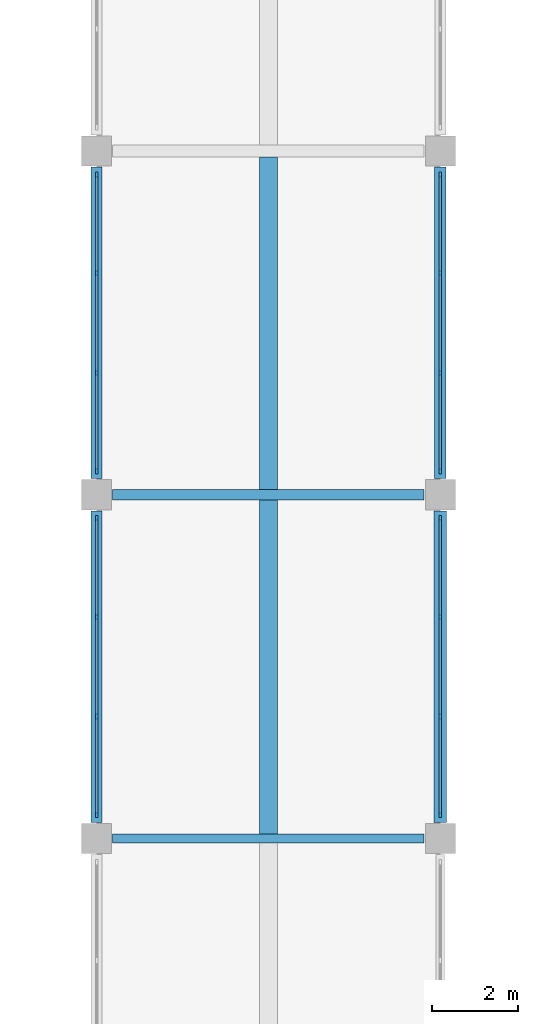
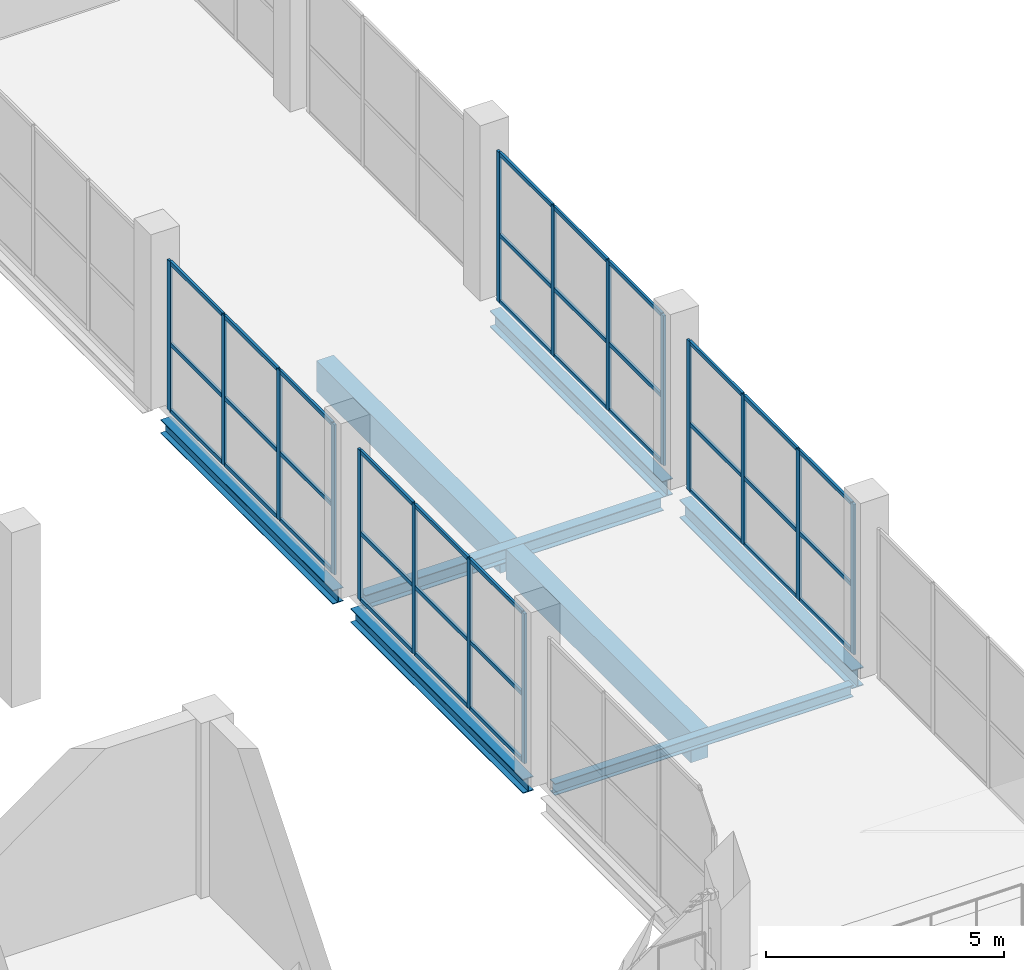
# One storey, part 10 of 45: 52 members, 8 beams, 4 elements without a shape of their own.
"""IFC4 building model written with IfcOpenShell, lengths in metres."""

from ifc_helpers import new_model, si_unit, direction, frame, origin, origin_2d, place, context, subcontext, project, spatial, rectangle, i_section, extrude, material, layer, layer_set, material_profile, profile_set, type_object, element, aggregate, save


model = new_model("IFC4")

# Units and contexts
model_context = context("Model", 3, precision=1e-05, world=origin(), true_north=direction((0.0, 1.0)))
body_context = subcontext(model_context, "Body", "Model", "MODEL_VIEW")
ifc_project = project(units=[si_unit("LENGTHUNIT", "METRE"), si_unit("AREAUNIT", "SQUARE_METRE"), si_unit("VOLUMEUNIT", "CUBIC_METRE"), si_unit("PLANEANGLEUNIT", "RADIAN"), si_unit("MASSUNIT", "GRAM", prefix="KILO")], contexts=[model_context])

# Site, building, storey
site_placement = place(None, origin())
site = spatial("IfcSite", under=ifc_project, at=site_placement, CompositionType="ELEMENT")
building_placement = place(site_placement, origin())
building = spatial("IfcBuilding", under=site, at=building_placement, Name="Qorikala Patio Media Centre", CompositionType="ELEMENT")
storey_placement = place(building_placement, frame((0.0, 0.0, 9.89990234375)))
storey = spatial("IfcBuildingStorey", under=building, at=storey_placement, Name="L02", CompositionType="ELEMENT", Elevation=9.89990234375)

# Curtain wall, members
ifc_material_1 = material(Name="Bronze Anodised Aluminium and Low-E Glass", Category="aluminium")
ifc_layer = layer(ifc_material_1, 0.159912109375)
ifc_layer_set = layer_set([ifc_layer], Name="Bronze Anodised Aluminium and Low-E Glass")
curtain_wall_type = type_object("IfcCurtainWallType", Name="CW-BRG-696X385", PredefinedType="USERDEFINED", material=ifc_layer_set)
curtain_wall_1_placement = place(storey_placement, origin())
curtain_wall_1 = element("IfcCurtainWall", 1, at=curtain_wall_1_placement, inside=storey, type_object=curtain_wall_type, Name="L02 Courtyard Curtain Wall 047", ObjectType="COURTYARD CURTAIN WALL", PredefinedType="USERDEFINED")
ifc_material_2 = material(Name="Bronze Anodised Aluminium", Category="aluminium")
ifc_material_profile_1 = material_profile(ifc_material_2, rectangle(XDim=0.06005859375, YDim=0.1298828125, at=origin_2d()), Name="ALU MULLION 60x130")
ifc_profile_set_1 = profile_set([ifc_material_profile_1], Name="Bronze Anodised Aluminium")
member_type_1 = type_object("IfcMemberType", Name="CWM-60X130", PredefinedType="MULLION", material=ifc_profile_set_1)
member_1_placement = place(storey_placement, frame((51.0, 35.550048828125, 0.0), z_axis=(0.0, 0.0, 1.0), x_axis=(-1.0, 0.0, 0.0)))
member_1 = element("IfcMember", 2, at=member_1_placement, type_object=member_type_1, Name="CWB696385 mullion 1", PredefinedType="MULLION", context=body_context, shape_type="SweptSolid", body=[
    extrude(rectangle(XDim=0.06005859375, YDim=0.1298828125, at=origin_2d()), origin(), (0.0, 0.0, 1.0), 3.85009765625),
])
member_2_placement = place(storey_placement, frame((51.0, 37.840087890625, 0.0), z_axis=(0.0, 0.0, 1.0), x_axis=(-1.0, 0.0, 0.0)))
member_2 = element("IfcMember", 3, at=member_2_placement, type_object=member_type_1, Name="CWB696385 mullion 2", PredefinedType="MULLION", context=body_context, shape_type="SweptSolid", body=[
    extrude(rectangle(XDim=0.06005859375, YDim=0.1298828125, at=origin_2d()), origin(), (0.0, 0.0, 1.0), 3.85009765625),
])
member_3_placement = place(storey_placement, frame((51.0, 40.159912109375, 0.0), z_axis=(0.0, 0.0, 1.0), x_axis=(-1.0, 0.0, 0.0)))
member_3 = element("IfcMember", 4, at=member_3_placement, type_object=member_type_1, Name="CWB696385 mullion 3", PredefinedType="MULLION", context=body_context, shape_type="SweptSolid", body=[
    extrude(rectangle(XDim=0.06005859375, YDim=0.1298828125, at=origin_2d()), origin(), (0.0, 0.0, 1.0), 3.85009765625),
])
member_4_placement = place(storey_placement, frame((51.0, 42.449951171875, 0.0), z_axis=(0.0, 0.0, 1.0), x_axis=(-1.0, 0.0, 0.0)))
member_4 = element("IfcMember", 5, at=member_4_placement, type_object=member_type_1, Name="CWB696385 mullion 4", PredefinedType="MULLION", context=body_context, shape_type="SweptSolid", body=[
    extrude(rectangle(XDim=0.06005859375, YDim=0.1298828125, at=origin_2d()), origin(), (0.0, 0.0, 1.0), 3.85009765625),
])

curtain_wall_2_placement = place(storey_placement, origin())
curtain_wall_2 = element("IfcCurtainWall", 6, at=curtain_wall_2_placement, inside=storey, type_object=curtain_wall_type, Name="L02 Courtyard Curtain Wall 048", ObjectType="COURTYARD CURTAIN WALL", PredefinedType="USERDEFINED")
member_5_placement = place(storey_placement, frame((51.0, 43.550048828125, 0.0), z_axis=(0.0, 0.0, 1.0), x_axis=(-1.0, 0.0, 0.0)))
member_5 = element("IfcMember", 7, at=member_5_placement, type_object=member_type_1, Name="CWB696385 mullion 1", PredefinedType="MULLION", context=body_context, shape_type="SweptSolid", body=[
    extrude(rectangle(XDim=0.06005859375, YDim=0.1298828125, at=origin_2d()), origin(), (0.0, 0.0, 1.0), 3.85009765625),
])
member_6_placement = place(storey_placement, frame((51.0, 45.840087890625, 0.0), z_axis=(0.0, 0.0, 1.0), x_axis=(-1.0, 0.0, 0.0)))
member_6 = element("IfcMember", 8, at=member_6_placement, type_object=member_type_1, Name="CWB696385 mullion 2", PredefinedType="MULLION", context=body_context, shape_type="SweptSolid", body=[
    extrude(rectangle(XDim=0.06005859375, YDim=0.1298828125, at=origin_2d()), origin(), (0.0, 0.0, 1.0), 3.85009765625),
])
member_7_placement = place(storey_placement, frame((51.0, 48.159912109375, 0.0), z_axis=(0.0, 0.0, 1.0), x_axis=(-1.0, 0.0, 0.0)))
member_7 = element("IfcMember", 9, at=member_7_placement, type_object=member_type_1, Name="CWB696385 mullion 3", PredefinedType="MULLION", context=body_context, shape_type="SweptSolid", body=[
    extrude(rectangle(XDim=0.06005859375, YDim=0.1298828125, at=origin_2d()), origin(), (0.0, 0.0, 1.0), 3.85009765625),
])
member_8_placement = place(storey_placement, frame((51.0, 50.449951171875, 0.0), z_axis=(0.0, 0.0, 1.0), x_axis=(-1.0, 0.0, 0.0)))
member_8 = element("IfcMember", 10, at=member_8_placement, type_object=member_type_1, Name="CWB696385 mullion 4", PredefinedType="MULLION", context=body_context, shape_type="SweptSolid", body=[
    extrude(rectangle(XDim=0.06005859375, YDim=0.1298828125, at=origin_2d()), origin(), (0.0, 0.0, 1.0), 3.85009765625),
])

curtain_wall_3_placement = place(storey_placement, origin())
curtain_wall_3 = element("IfcCurtainWall", 11, at=curtain_wall_3_placement, inside=storey, type_object=curtain_wall_type, Name="L02 Courtyard Curtain Wall 056", ObjectType="COURTYARD CURTAIN WALL", PredefinedType="USERDEFINED")
member_9_placement = place(storey_placement, frame((59.0, 50.449951171875, 0.0), z_axis=(0.0, 0.0, 1.0), x_axis=(1.0, 0.0, 0.0)))
member_9 = element("IfcMember", 12, at=member_9_placement, type_object=member_type_1, Name="CWB696385 mullion 1", PredefinedType="MULLION", context=body_context, shape_type="SweptSolid", body=[
    extrude(rectangle(XDim=0.06005859375, YDim=0.1298828125, at=origin_2d()), origin(), (0.0, 0.0, 1.0), 3.85009765625),
])
member_10_placement = place(storey_placement, frame((59.0, 48.159912109375, 0.0), z_axis=(0.0, 0.0, 1.0), x_axis=(1.0, 0.0, 0.0)))
member_10 = element("IfcMember", 13, at=member_10_placement, type_object=member_type_1, Name="CWB696385 mullion 2", PredefinedType="MULLION", context=body_context, shape_type="SweptSolid", body=[
    extrude(rectangle(XDim=0.06005859375, YDim=0.1298828125, at=origin_2d()), origin(), (0.0, 0.0, 1.0), 3.85009765625),
])
member_11_placement = place(storey_placement, frame((59.0, 45.840087890625, 0.0), z_axis=(0.0, 0.0, 1.0), x_axis=(1.0, 0.0, 0.0)))
member_11 = element("IfcMember", 14, at=member_11_placement, type_object=member_type_1, Name="CWB696385 mullion 3", PredefinedType="MULLION", context=body_context, shape_type="SweptSolid", body=[
    extrude(rectangle(XDim=0.06005859375, YDim=0.1298828125, at=origin_2d()), origin(), (0.0, 0.0, 1.0), 3.85009765625),
])
member_12_placement = place(storey_placement, frame((59.0, 43.550048828125, 0.0), z_axis=(0.0, 0.0, 1.0), x_axis=(1.0, 0.0, 0.0)))
member_12 = element("IfcMember", 15, at=member_12_placement, type_object=member_type_1, Name="CWB696385 mullion 4", PredefinedType="MULLION", context=body_context, shape_type="SweptSolid", body=[
    extrude(rectangle(XDim=0.06005859375, YDim=0.1298828125, at=origin_2d()), origin(), (0.0, 0.0, 1.0), 3.85009765625),
])

curtain_wall_4_placement = place(storey_placement, origin())
curtain_wall_4 = element("IfcCurtainWall", 16, at=curtain_wall_4_placement, inside=storey, type_object=curtain_wall_type, Name="L02 Courtyard Curtain Wall 057", ObjectType="COURTYARD CURTAIN WALL", PredefinedType="USERDEFINED")
member_13_placement = place(storey_placement, frame((59.0, 42.449951171875, 0.0), z_axis=(0.0, 0.0, 1.0), x_axis=(1.0, 0.0, 0.0)))
member_13 = element("IfcMember", 17, at=member_13_placement, type_object=member_type_1, Name="CWB696385 mullion 1", PredefinedType="MULLION", context=body_context, shape_type="SweptSolid", body=[
    extrude(rectangle(XDim=0.06005859375, YDim=0.1298828125, at=origin_2d()), origin(), (0.0, 0.0, 1.0), 3.85009765625),
])
member_14_placement = place(storey_placement, frame((59.0, 40.159912109375, 0.0), z_axis=(0.0, 0.0, 1.0), x_axis=(1.0, 0.0, 0.0)))
member_14 = element("IfcMember", 18, at=member_14_placement, type_object=member_type_1, Name="CWB696385 mullion 2", PredefinedType="MULLION", context=body_context, shape_type="SweptSolid", body=[
    extrude(rectangle(XDim=0.06005859375, YDim=0.1298828125, at=origin_2d()), origin(), (0.0, 0.0, 1.0), 3.85009765625),
])
member_15_placement = place(storey_placement, frame((59.0, 37.840087890625, 0.0), z_axis=(0.0, 0.0, 1.0), x_axis=(1.0, 0.0, 0.0)))
member_15 = element("IfcMember", 19, at=member_15_placement, type_object=member_type_1, Name="CWB696385 mullion 3", PredefinedType="MULLION", context=body_context, shape_type="SweptSolid", body=[
    extrude(rectangle(XDim=0.06005859375, YDim=0.1298828125, at=origin_2d()), origin(), (0.0, 0.0, 1.0), 3.85009765625),
])
member_16_placement = place(storey_placement, frame((59.0, 35.550048828125, 0.0), z_axis=(0.0, 0.0, 1.0), x_axis=(1.0, 0.0, 0.0)))
member_16 = element("IfcMember", 20, at=member_16_placement, type_object=member_type_1, Name="CWB696385 mullion 4", PredefinedType="MULLION", context=body_context, shape_type="SweptSolid", body=[
    extrude(rectangle(XDim=0.06005859375, YDim=0.1298828125, at=origin_2d()), origin(), (0.0, 0.0, 1.0), 3.85009765625),
])

# Member
ifc_material_profile_2 = material_profile(ifc_material_2, rectangle(XDim=0.06005859375, YDim=0.10009765625, at=origin_2d()), Name="ALU TRANSOM 60x100")
ifc_profile_set_2 = profile_set([ifc_material_profile_2], Name="Bronze Anodised Aluminium")
member_type_2 = type_object("IfcMemberType", Name="CWT-60X100", PredefinedType="USERDEFINED", material=ifc_profile_set_2)
member_17_placement = place(storey_placement, frame((51.0, 35.580078125, 0.030029296875), z_axis=(0.0, 1.0, 0.0), x_axis=(-1.0, 0.0, 0.0)))
member_17 = element("IfcMember", 21, at=member_17_placement, type_object=member_type_2, Name="CWB696385 transom 1.1", ObjectType="TRANSOM", PredefinedType="USERDEFINED", context=body_context, shape_type="SweptSolid", body=[
    extrude(rectangle(XDim=0.06005859375, YDim=0.10009765625, at=origin_2d()), origin(), (0.0, 0.0, 1.0), 2.22998046875),
])

member_18_placement = place(storey_placement, frame((51.0, 35.580078125, 1.732666015625), z_axis=(0.0, 1.0, 0.0), x_axis=(-1.0, 0.0, 0.0)))
member_18 = element("IfcMember", 22, at=member_18_placement, type_object=member_type_2, Name="CWB696385 transom 1.2", ObjectType="TRANSOM", PredefinedType="USERDEFINED", context=body_context, shape_type="SweptSolid", body=[
    extrude(rectangle(XDim=0.06005859375, YDim=0.10009765625, at=origin_2d()), origin(), (0.0, 0.0, 1.0), 2.22998046875),
])

member_19_placement = place(storey_placement, frame((51.0, 35.580078125, 3.820068359375), z_axis=(0.0, 1.0, 0.0), x_axis=(-1.0, 0.0, 0.0)))
member_19 = element("IfcMember", 23, at=member_19_placement, type_object=member_type_2, Name="CWB696385 transom 1.3", ObjectType="TRANSOM", PredefinedType="USERDEFINED", context=body_context, shape_type="SweptSolid", body=[
    extrude(rectangle(XDim=0.06005859375, YDim=0.10009765625, at=origin_2d()), origin(), (0.0, 0.0, 1.0), 2.22998046875),
])

member_20_placement = place(storey_placement, frame((51.0, 37.8701171875, 0.030029296875), z_axis=(0.0, 1.0, 0.0), x_axis=(-1.0, 0.0, 0.0)))
member_20 = element("IfcMember", 24, at=member_20_placement, type_object=member_type_2, Name="CWB696385 transom 2.1", ObjectType="TRANSOM", PredefinedType="USERDEFINED", context=body_context, shape_type="SweptSolid", body=[
    extrude(rectangle(XDim=0.06005859375, YDim=0.10009765625, at=origin_2d()), origin(), (0.0, 0.0, 1.0), 2.259765625),
])

member_21_placement = place(storey_placement, frame((51.0, 37.8701171875, 1.732666015625), z_axis=(0.0, 1.0, 0.0), x_axis=(-1.0, 0.0, 0.0)))
member_21 = element("IfcMember", 25, at=member_21_placement, type_object=member_type_2, Name="CWB696385 transom 2.2", ObjectType="TRANSOM", PredefinedType="USERDEFINED", context=body_context, shape_type="SweptSolid", body=[
    extrude(rectangle(XDim=0.06005859375, YDim=0.10009765625, at=origin_2d()), origin(), (0.0, 0.0, 1.0), 2.259765625),
])

member_22_placement = place(storey_placement, frame((51.0, 37.8701171875, 3.820068359375), z_axis=(0.0, 1.0, 0.0), x_axis=(-1.0, 0.0, 0.0)))
member_22 = element("IfcMember", 26, at=member_22_placement, type_object=member_type_2, Name="CWB696385 transom 2.3", ObjectType="TRANSOM", PredefinedType="USERDEFINED", context=body_context, shape_type="SweptSolid", body=[
    extrude(rectangle(XDim=0.06005859375, YDim=0.10009765625, at=origin_2d()), origin(), (0.0, 0.0, 1.0), 2.259765625),
])

member_23_placement = place(storey_placement, frame((51.0, 40.18994140625, 0.030029296875), z_axis=(0.0, 1.0, 0.0), x_axis=(-1.0, 0.0, 0.0)))
member_23 = element("IfcMember", 27, at=member_23_placement, type_object=member_type_2, Name="CWB696385 transom 3.1", ObjectType="TRANSOM", PredefinedType="USERDEFINED", context=body_context, shape_type="SweptSolid", body=[
    extrude(rectangle(XDim=0.06005859375, YDim=0.10009765625, at=origin_2d()), origin(), (0.0, 0.0, 1.0), 2.22998046875),
])

member_24_placement = place(storey_placement, frame((51.0, 40.18994140625, 1.732666015625), z_axis=(0.0, 1.0, 0.0), x_axis=(-1.0, 0.0, 0.0)))
member_24 = element("IfcMember", 28, at=member_24_placement, type_object=member_type_2, Name="CWB696385 transom 3.2", ObjectType="TRANSOM", PredefinedType="USERDEFINED", context=body_context, shape_type="SweptSolid", body=[
    extrude(rectangle(XDim=0.06005859375, YDim=0.10009765625, at=origin_2d()), origin(), (0.0, 0.0, 1.0), 2.22998046875),
])

member_25_placement = place(storey_placement, frame((51.0, 40.18994140625, 3.820068359375), z_axis=(0.0, 1.0, 0.0), x_axis=(-1.0, 0.0, 0.0)))
member_25 = element("IfcMember", 29, at=member_25_placement, type_object=member_type_2, Name="CWB696385 transom 3.3", ObjectType="TRANSOM", PredefinedType="USERDEFINED", context=body_context, shape_type="SweptSolid", body=[
    extrude(rectangle(XDim=0.06005859375, YDim=0.10009765625, at=origin_2d()), origin(), (0.0, 0.0, 1.0), 2.22998046875),
])

aggregate(curtain_wall_1, [member_1, member_2, member_3, member_4, member_17, member_18, member_19, member_20, member_21, member_22, member_23, member_24, member_25])

member_26_placement = place(storey_placement, frame((51.0, 43.580078125, 0.030029296875), z_axis=(0.0, 1.0, 0.0), x_axis=(-1.0, 0.0, 0.0)))
member_26 = element("IfcMember", 30, at=member_26_placement, type_object=member_type_2, Name="CWB696385 transom 1.1", ObjectType="TRANSOM", PredefinedType="USERDEFINED", context=body_context, shape_type="SweptSolid", body=[
    extrude(rectangle(XDim=0.06005859375, YDim=0.10009765625, at=origin_2d()), origin(), (0.0, 0.0, 1.0), 2.22998046875),
])

member_27_placement = place(storey_placement, frame((51.0, 43.580078125, 1.732666015625), z_axis=(0.0, 1.0, 0.0), x_axis=(-1.0, 0.0, 0.0)))
member_27 = element("IfcMember", 31, at=member_27_placement, type_object=member_type_2, Name="CWB696385 transom 1.2", ObjectType="TRANSOM", PredefinedType="USERDEFINED", context=body_context, shape_type="SweptSolid", body=[
    extrude(rectangle(XDim=0.06005859375, YDim=0.10009765625, at=origin_2d()), origin(), (0.0, 0.0, 1.0), 2.22998046875),
])

member_28_placement = place(storey_placement, frame((51.0, 43.580078125, 3.820068359375), z_axis=(0.0, 1.0, 0.0), x_axis=(-1.0, 0.0, 0.0)))
member_28 = element("IfcMember", 32, at=member_28_placement, type_object=member_type_2, Name="CWB696385 transom 1.3", ObjectType="TRANSOM", PredefinedType="USERDEFINED", context=body_context, shape_type="SweptSolid", body=[
    extrude(rectangle(XDim=0.06005859375, YDim=0.10009765625, at=origin_2d()), origin(), (0.0, 0.0, 1.0), 2.22998046875),
])

member_29_placement = place(storey_placement, frame((51.0, 45.8701171875, 0.030029296875), z_axis=(0.0, 1.0, 0.0), x_axis=(-1.0, 0.0, 0.0)))
member_29 = element("IfcMember", 33, at=member_29_placement, type_object=member_type_2, Name="CWB696385 transom 2.1", ObjectType="TRANSOM", PredefinedType="USERDEFINED", context=body_context, shape_type="SweptSolid", body=[
    extrude(rectangle(XDim=0.06005859375, YDim=0.10009765625, at=origin_2d()), origin(), (0.0, 0.0, 1.0), 2.259765625),
])

member_30_placement = place(storey_placement, frame((51.0, 45.8701171875, 1.732666015625), z_axis=(0.0, 1.0, 0.0), x_axis=(-1.0, 0.0, 0.0)))
member_30 = element("IfcMember", 34, at=member_30_placement, type_object=member_type_2, Name="CWB696385 transom 2.2", ObjectType="TRANSOM", PredefinedType="USERDEFINED", context=body_context, shape_type="SweptSolid", body=[
    extrude(rectangle(XDim=0.06005859375, YDim=0.10009765625, at=origin_2d()), origin(), (0.0, 0.0, 1.0), 2.259765625),
])

member_31_placement = place(storey_placement, frame((51.0, 45.8701171875, 3.820068359375), z_axis=(0.0, 1.0, 0.0), x_axis=(-1.0, 0.0, 0.0)))
member_31 = element("IfcMember", 35, at=member_31_placement, type_object=member_type_2, Name="CWB696385 transom 2.3", ObjectType="TRANSOM", PredefinedType="USERDEFINED", context=body_context, shape_type="SweptSolid", body=[
    extrude(rectangle(XDim=0.06005859375, YDim=0.10009765625, at=origin_2d()), origin(), (0.0, 0.0, 1.0), 2.259765625),
])

member_32_placement = place(storey_placement, frame((51.0, 48.18994140625, 0.030029296875), z_axis=(0.0, 1.0, 0.0), x_axis=(-1.0, 0.0, 0.0)))
member_32 = element("IfcMember", 36, at=member_32_placement, type_object=member_type_2, Name="CWB696385 transom 3.1", ObjectType="TRANSOM", PredefinedType="USERDEFINED", context=body_context, shape_type="SweptSolid", body=[
    extrude(rectangle(XDim=0.06005859375, YDim=0.10009765625, at=origin_2d()), origin(), (0.0, 0.0, 1.0), 2.22998046875),
])

member_33_placement = place(storey_placement, frame((51.0, 48.18994140625, 1.732666015625), z_axis=(0.0, 1.0, 0.0), x_axis=(-1.0, 0.0, 0.0)))
member_33 = element("IfcMember", 37, at=member_33_placement, type_object=member_type_2, Name="CWB696385 transom 3.2", ObjectType="TRANSOM", PredefinedType="USERDEFINED", context=body_context, shape_type="SweptSolid", body=[
    extrude(rectangle(XDim=0.06005859375, YDim=0.10009765625, at=origin_2d()), origin(), (0.0, 0.0, 1.0), 2.22998046875),
])

member_34_placement = place(storey_placement, frame((51.0, 48.18994140625, 3.820068359375), z_axis=(0.0, 1.0, 0.0), x_axis=(-1.0, 0.0, 0.0)))
member_34 = element("IfcMember", 38, at=member_34_placement, type_object=member_type_2, Name="CWB696385 transom 3.3", ObjectType="TRANSOM", PredefinedType="USERDEFINED", context=body_context, shape_type="SweptSolid", body=[
    extrude(rectangle(XDim=0.06005859375, YDim=0.10009765625, at=origin_2d()), origin(), (0.0, 0.0, 1.0), 2.22998046875),
])

aggregate(curtain_wall_2, [member_5, member_6, member_7, member_8, member_26, member_27, member_28, member_29, member_30, member_31, member_32, member_33, member_34])

member_35_placement = place(storey_placement, frame((59.0, 50.419921875, 0.030029296875), z_axis=(0.0, -1.0, 0.0), x_axis=(1.0, 0.0, 0.0)))
member_35 = element("IfcMember", 39, at=member_35_placement, type_object=member_type_2, Name="CWB696385 transom 1.1", ObjectType="TRANSOM", PredefinedType="USERDEFINED", context=body_context, shape_type="SweptSolid", body=[
    extrude(rectangle(XDim=0.06005859375, YDim=0.10009765625, at=origin_2d()), origin(), (0.0, 0.0, 1.0), 2.22998046875),
])

member_36_placement = place(storey_placement, frame((59.0, 50.419921875, 1.732666015625), z_axis=(0.0, -1.0, 0.0), x_axis=(1.0, 0.0, 0.0)))
member_36 = element("IfcMember", 40, at=member_36_placement, type_object=member_type_2, Name="CWB696385 transom 1.2", ObjectType="TRANSOM", PredefinedType="USERDEFINED", context=body_context, shape_type="SweptSolid", body=[
    extrude(rectangle(XDim=0.06005859375, YDim=0.10009765625, at=origin_2d()), origin(), (0.0, 0.0, 1.0), 2.22998046875),
])

member_37_placement = place(storey_placement, frame((59.0, 50.419921875, 3.820068359375), z_axis=(0.0, -1.0, 0.0), x_axis=(1.0, 0.0, 0.0)))
member_37 = element("IfcMember", 41, at=member_37_placement, type_object=member_type_2, Name="CWB696385 transom 1.3", ObjectType="TRANSOM", PredefinedType="USERDEFINED", context=body_context, shape_type="SweptSolid", body=[
    extrude(rectangle(XDim=0.06005859375, YDim=0.10009765625, at=origin_2d()), origin(), (0.0, 0.0, 1.0), 2.22998046875),
])

member_38_placement = place(storey_placement, frame((59.0, 48.1298828125, 0.030029296875), z_axis=(0.0, -1.0, 0.0), x_axis=(1.0, 0.0, 0.0)))
member_38 = element("IfcMember", 42, at=member_38_placement, type_object=member_type_2, Name="CWB696385 transom 2.1", ObjectType="TRANSOM", PredefinedType="USERDEFINED", context=body_context, shape_type="SweptSolid", body=[
    extrude(rectangle(XDim=0.06005859375, YDim=0.10009765625, at=origin_2d()), origin(), (0.0, 0.0, 1.0), 2.259765625),
])

member_39_placement = place(storey_placement, frame((59.0, 48.1298828125, 1.732666015625), z_axis=(0.0, -1.0, 0.0), x_axis=(1.0, 0.0, 0.0)))
member_39 = element("IfcMember", 43, at=member_39_placement, type_object=member_type_2, Name="CWB696385 transom 2.2", ObjectType="TRANSOM", PredefinedType="USERDEFINED", context=body_context, shape_type="SweptSolid", body=[
    extrude(rectangle(XDim=0.06005859375, YDim=0.10009765625, at=origin_2d()), origin(), (0.0, 0.0, 1.0), 2.259765625),
])

member_40_placement = place(storey_placement, frame((59.0, 48.1298828125, 3.820068359375), z_axis=(0.0, -1.0, 0.0), x_axis=(1.0, 0.0, 0.0)))
member_40 = element("IfcMember", 44, at=member_40_placement, type_object=member_type_2, Name="CWB696385 transom 2.3", ObjectType="TRANSOM", PredefinedType="USERDEFINED", context=body_context, shape_type="SweptSolid", body=[
    extrude(rectangle(XDim=0.06005859375, YDim=0.10009765625, at=origin_2d()), origin(), (0.0, 0.0, 1.0), 2.259765625),
])

member_41_placement = place(storey_placement, frame((59.0, 45.81005859375, 0.030029296875), z_axis=(0.0, -1.0, 0.0), x_axis=(1.0, 0.0, 0.0)))
member_41 = element("IfcMember", 45, at=member_41_placement, type_object=member_type_2, Name="CWB696385 transom 3.1", ObjectType="TRANSOM", PredefinedType="USERDEFINED", context=body_context, shape_type="SweptSolid", body=[
    extrude(rectangle(XDim=0.06005859375, YDim=0.10009765625, at=origin_2d()), origin(), (0.0, 0.0, 1.0), 2.22998046875),
])

member_42_placement = place(storey_placement, frame((59.0, 45.81005859375, 1.732666015625), z_axis=(0.0, -1.0, 0.0), x_axis=(1.0, 0.0, 0.0)))
member_42 = element("IfcMember", 46, at=member_42_placement, type_object=member_type_2, Name="CWB696385 transom 3.2", ObjectType="TRANSOM", PredefinedType="USERDEFINED", context=body_context, shape_type="SweptSolid", body=[
    extrude(rectangle(XDim=0.06005859375, YDim=0.10009765625, at=origin_2d()), origin(), (0.0, 0.0, 1.0), 2.22998046875),
])

member_43_placement = place(storey_placement, frame((59.0, 45.81005859375, 3.820068359375), z_axis=(0.0, -1.0, 0.0), x_axis=(1.0, 0.0, 0.0)))
member_43 = element("IfcMember", 47, at=member_43_placement, type_object=member_type_2, Name="CWB696385 transom 3.3", ObjectType="TRANSOM", PredefinedType="USERDEFINED", context=body_context, shape_type="SweptSolid", body=[
    extrude(rectangle(XDim=0.06005859375, YDim=0.10009765625, at=origin_2d()), origin(), (0.0, 0.0, 1.0), 2.22998046875),
])

aggregate(curtain_wall_3, [member_9, member_10, member_11, member_12, member_35, member_36, member_37, member_38, member_39, member_40, member_41, member_42, member_43])

member_44_placement = place(storey_placement, frame((59.0, 42.419921875, 0.030029296875), z_axis=(0.0, -1.0, 0.0), x_axis=(1.0, 0.0, 0.0)))
member_44 = element("IfcMember", 48, at=member_44_placement, type_object=member_type_2, Name="CWB696385 transom 1.1", ObjectType="TRANSOM", PredefinedType="USERDEFINED", context=body_context, shape_type="SweptSolid", body=[
    extrude(rectangle(XDim=0.06005859375, YDim=0.10009765625, at=origin_2d()), origin(), (0.0, 0.0, 1.0), 2.22998046875),
])

member_45_placement = place(storey_placement, frame((59.0, 42.419921875, 1.732666015625), z_axis=(0.0, -1.0, 0.0), x_axis=(1.0, 0.0, 0.0)))
member_45 = element("IfcMember", 49, at=member_45_placement, type_object=member_type_2, Name="CWB696385 transom 1.2", ObjectType="TRANSOM", PredefinedType="USERDEFINED", context=body_context, shape_type="SweptSolid", body=[
    extrude(rectangle(XDim=0.06005859375, YDim=0.10009765625, at=origin_2d()), origin(), (0.0, 0.0, 1.0), 2.22998046875),
])

member_46_placement = place(storey_placement, frame((59.0, 42.419921875, 3.820068359375), z_axis=(0.0, -1.0, 0.0), x_axis=(1.0, 0.0, 0.0)))
member_46 = element("IfcMember", 50, at=member_46_placement, type_object=member_type_2, Name="CWB696385 transom 1.3", ObjectType="TRANSOM", PredefinedType="USERDEFINED", context=body_context, shape_type="SweptSolid", body=[
    extrude(rectangle(XDim=0.06005859375, YDim=0.10009765625, at=origin_2d()), origin(), (0.0, 0.0, 1.0), 2.22998046875),
])

member_47_placement = place(storey_placement, frame((59.0, 40.1298828125, 0.030029296875), z_axis=(0.0, -1.0, 0.0), x_axis=(1.0, 0.0, 0.0)))
member_47 = element("IfcMember", 51, at=member_47_placement, type_object=member_type_2, Name="CWB696385 transom 2.1", ObjectType="TRANSOM", PredefinedType="USERDEFINED", context=body_context, shape_type="SweptSolid", body=[
    extrude(rectangle(XDim=0.06005859375, YDim=0.10009765625, at=origin_2d()), origin(), (0.0, 0.0, 1.0), 2.259765625),
])

member_48_placement = place(storey_placement, frame((59.0, 40.1298828125, 1.732666015625), z_axis=(0.0, -1.0, 0.0), x_axis=(1.0, 0.0, 0.0)))
member_48 = element("IfcMember", 52, at=member_48_placement, type_object=member_type_2, Name="CWB696385 transom 2.2", ObjectType="TRANSOM", PredefinedType="USERDEFINED", context=body_context, shape_type="SweptSolid", body=[
    extrude(rectangle(XDim=0.06005859375, YDim=0.10009765625, at=origin_2d()), origin(), (0.0, 0.0, 1.0), 2.259765625),
])

member_49_placement = place(storey_placement, frame((59.0, 40.1298828125, 3.820068359375), z_axis=(0.0, -1.0, 0.0), x_axis=(1.0, 0.0, 0.0)))
member_49 = element("IfcMember", 53, at=member_49_placement, type_object=member_type_2, Name="CWB696385 transom 2.3", ObjectType="TRANSOM", PredefinedType="USERDEFINED", context=body_context, shape_type="SweptSolid", body=[
    extrude(rectangle(XDim=0.06005859375, YDim=0.10009765625, at=origin_2d()), origin(), (0.0, 0.0, 1.0), 2.259765625),
])

member_50_placement = place(storey_placement, frame((59.0, 37.81005859375, 0.030029296875), z_axis=(0.0, -1.0, 0.0), x_axis=(1.0, 0.0, 0.0)))
member_50 = element("IfcMember", 54, at=member_50_placement, type_object=member_type_2, Name="CWB696385 transom 3.1", ObjectType="TRANSOM", PredefinedType="USERDEFINED", context=body_context, shape_type="SweptSolid", body=[
    extrude(rectangle(XDim=0.06005859375, YDim=0.10009765625, at=origin_2d()), origin(), (0.0, 0.0, 1.0), 2.22998046875),
])

member_51_placement = place(storey_placement, frame((59.0, 37.81005859375, 1.732666015625), z_axis=(0.0, -1.0, 0.0), x_axis=(1.0, 0.0, 0.0)))
member_51 = element("IfcMember", 55, at=member_51_placement, type_object=member_type_2, Name="CWB696385 transom 3.2", ObjectType="TRANSOM", PredefinedType="USERDEFINED", context=body_context, shape_type="SweptSolid", body=[
    extrude(rectangle(XDim=0.06005859375, YDim=0.10009765625, at=origin_2d()), origin(), (0.0, 0.0, 1.0), 2.22998046875),
])

member_52_placement = place(storey_placement, frame((59.0, 37.81005859375, 3.820068359375), z_axis=(0.0, -1.0, 0.0), x_axis=(1.0, 0.0, 0.0)))
member_52 = element("IfcMember", 56, at=member_52_placement, type_object=member_type_2, Name="CWB696385 transom 3.3", ObjectType="TRANSOM", PredefinedType="USERDEFINED", context=body_context, shape_type="SweptSolid", body=[
    extrude(rectangle(XDim=0.06005859375, YDim=0.10009765625, at=origin_2d()), origin(), (0.0, 0.0, 1.0), 2.22998046875),
])

aggregate(curtain_wall_4, [member_13, member_14, member_15, member_16, member_44, member_45, member_46, member_47, member_48, member_49, member_50, member_51, member_52])

# Beams
ifc_material_3 = material(Name="Steel S355", Category="steel")
ifc_material_profile_3 = material_profile(ifc_material_3, i_section(OverallWidth=0.202880859375, OverallDepth=0.302978515625, WebThickness=0.007568359375, FlangeThickness=0.01318359375, at=origin_2d()), Name="W310X60")
ifc_profile_set_3 = profile_set([ifc_material_profile_3], Name="Steel S355")
beam_type_1 = type_object("IfcBeamType", Name="SBM-W310X60", PredefinedType="BEAM", material=ifc_profile_set_3)
beam_1_placement = place(storey_placement, frame((51.375, 35.0, -0.451416015625), z_axis=(1.0, 0.0, 0.0), x_axis=(0.0, 1.0, 0.0)))
element("IfcBeam", 57, at=beam_1_placement, inside=storey, type_object=beam_type_1, Name="L02 Grid 35 Beam 0839", PredefinedType="BEAM", context=body_context, shape_type="SweptSolid", body=[
    extrude(i_section(OverallWidth=0.202880859375, OverallDepth=0.302978515625, WebThickness=0.007568359375, FlangeThickness=0.01318359375, at=origin_2d()), origin(), (0.0, 0.0, 1.0), 7.25),
])
ifc_material_profile_4 = material_profile(ifc_material_3, i_section(OverallWidth=0.257080078125, OverallDepth=0.363037109375, WebThickness=0.012939453125, FlangeThickness=0.021728515625, at=origin_2d()), Name="W360X122")
ifc_profile_set_4 = profile_set([ifc_material_profile_4], Name="Steel S355")
beam_type_2 = type_object("IfcBeamType", Name="SBM-W360X122-EXT", PredefinedType="BEAM", material=ifc_profile_set_4)
beam_2_placement = place(storey_placement, frame((51.0, 35.375, -0.4814453125), z_axis=(0.0, 1.0, 0.0), x_axis=(-1.0, 0.0, 0.0)))
element("IfcBeam", 58, at=beam_2_placement, inside=storey, type_object=beam_type_2, Name="L02 Grid X=51 Beam 0948", PredefinedType="BEAM", context=body_context, shape_type="SweptSolid", body=[
    extrude(i_section(OverallWidth=0.257080078125, OverallDepth=0.363037109375, WebThickness=0.012939453125, FlangeThickness=0.021728515625, at=origin_2d()), origin(), (0.0, 0.0, 1.0), 7.25),
])
ifc_material_profile_5 = material_profile(ifc_material_3, i_section(OverallWidth=0.25390625, OverallDepth=0.35302734375, WebThickness=0.009521484375, FlangeThickness=0.016357421875, at=origin_2d()), Name="W360X91")
ifc_profile_set_5 = profile_set([ifc_material_profile_5], Name="Steel S355")
beam_type_3 = type_object("IfcBeamType", Name="SBM-W360X91", PredefinedType="BEAM", material=ifc_profile_set_5)
beam_3_placement = place(storey_placement, frame((51.375, 43.0, -0.476318359375), z_axis=(1.0, 0.0, 0.0), x_axis=(0.0, 1.0, 0.0)))
element("IfcBeam", 59, at=beam_3_placement, inside=storey, type_object=beam_type_3, Name="L02 Grid 43 Beam 0844", PredefinedType="BEAM", context=body_context, shape_type="SweptSolid", body=[
    extrude(i_section(OverallWidth=0.25390625, OverallDepth=0.35302734375, WebThickness=0.009521484375, FlangeThickness=0.016357421875, at=origin_2d()), origin(), (0.0, 0.0, 1.0), 7.25),
])
ifc_material_profile_6 = material_profile(ifc_material_3, i_section(OverallWidth=0.25390625, OverallDepth=0.35302734375, WebThickness=0.009521484375, FlangeThickness=0.016357421875, at=origin_2d()), Name="W360X91")
ifc_profile_set_6 = profile_set([ifc_material_profile_6], Name="Steel S355")
beam_type_4 = type_object("IfcBeamType", Name="SBM-W360X91-EXT", PredefinedType="BEAM", material=ifc_profile_set_6)
beam_4_placement = place(storey_placement, frame((51.0, 43.375, -0.476318359375), z_axis=(0.0, 1.0, 0.0), x_axis=(-1.0, 0.0, 0.0)))
element("IfcBeam", 60, at=beam_4_placement, inside=storey, type_object=beam_type_4, Name="L02 Grid X=51 Beam 0949", PredefinedType="BEAM", context=body_context, shape_type="SweptSolid", body=[
    extrude(i_section(OverallWidth=0.25390625, OverallDepth=0.35302734375, WebThickness=0.009521484375, FlangeThickness=0.016357421875, at=origin_2d()), origin(), (0.0, 0.0, 1.0), 7.25),
])
ifc_material_profile_7 = material_profile(ifc_material_3, i_section(OverallWidth=0.260986328125, OverallDepth=0.419921875, WebThickness=0.01318359375, FlangeThickness=0.022216796875, at=origin_2d()), Name="W410X114")
ifc_profile_set_7 = profile_set([ifc_material_profile_7], Name="Steel S355")
beam_type_5 = type_object("IfcBeamType", Name="SBM-W410X114-EXT", PredefinedType="BEAM", material=ifc_profile_set_7)
beam_5_placement = place(storey_placement, frame((59.0, 43.375, -0.510009765625), z_axis=(0.0, 1.0, 0.0), x_axis=(-1.0, 0.0, 0.0)))
element("IfcBeam", 61, at=beam_5_placement, inside=storey, type_object=beam_type_5, Name="L02 Grid X=59 Beam 0961", PredefinedType="BEAM", context=body_context, shape_type="SweptSolid", body=[
    extrude(i_section(OverallWidth=0.260986328125, OverallDepth=0.419921875, WebThickness=0.01318359375, FlangeThickness=0.022216796875, at=origin_2d()), origin(), (0.0, 0.0, 1.0), 7.25),
])
ifc_material_profile_8 = material_profile(ifc_material_3, i_section(OverallWidth=0.282958984375, OverallDepth=0.471923828125, WebThickness=0.014892578125, FlangeThickness=0.025390625, at=origin_2d()), Name="W460X144")
ifc_profile_set_8 = profile_set([ifc_material_profile_8], Name="Steel S355")
beam_type_6 = type_object("IfcBeamType", Name="SBM-W460X144-EXT", PredefinedType="BEAM", material=ifc_profile_set_8)
beam_6_placement = place(storey_placement, frame((59.0, 35.375, -0.535888671875), z_axis=(0.0, 1.0, 0.0), x_axis=(-1.0, 0.0, 0.0)))
element("IfcBeam", 62, at=beam_6_placement, inside=storey, type_object=beam_type_6, Name="L02 Grid X=59 Beam 0960", PredefinedType="BEAM", context=body_context, shape_type="SweptSolid", body=[
    extrude(i_section(OverallWidth=0.282958984375, OverallDepth=0.471923828125, WebThickness=0.014892578125, FlangeThickness=0.025390625, at=origin_2d()), origin(), (0.0, 0.0, 1.0), 7.25),
])
ifc_material_4 = material(Name="Concrete C35/45", Category="concrete")
ifc_material_profile_9 = material_profile(ifc_material_4, rectangle(XDim=0.419921875, YDim=0.780029296875, at=origin_2d()), Name="RC 420x780")
ifc_profile_set_9 = profile_set([ifc_material_profile_9], Name="Concrete C35/45")
beam_type_7 = type_object("IfcBeamType", Name="TB-420X780", PredefinedType="T_BEAM", material=ifc_profile_set_9)
beam_7_placement = place(storey_placement, frame((55.0, 35.1015625, -0.68994140625), z_axis=(0.0, 1.0, 0.0), x_axis=(-1.0, 0.0, 0.0)))
element("IfcBeam", 63, at=beam_7_placement, inside=storey, type_object=beam_type_7, Name="L02 Secondary Joist 1055", PredefinedType="T_BEAM", context=body_context, shape_type="SweptSolid", body=[
    extrude(rectangle(XDim=0.419921875, YDim=0.780029296875, at=origin_2d()), origin(), (0.0, 0.0, 1.0), 7.771484375),
])
beam_8_placement = place(storey_placement, frame((55.0, 43.126953125, -0.68994140625), z_axis=(0.0, 1.0, 0.0), x_axis=(-1.0, 0.0, 0.0)))
element("IfcBeam", 64, at=beam_8_placement, inside=storey, type_object=beam_type_7, Name="L02 Secondary Joist 1056", PredefinedType="T_BEAM", context=body_context, shape_type="SweptSolid", body=[
    extrude(rectangle(XDim=0.419921875, YDim=0.780029296875, at=origin_2d()), origin(), (0.0, 0.0, 1.0), 7.7314453125),
])

save(model, "model.ifc")
